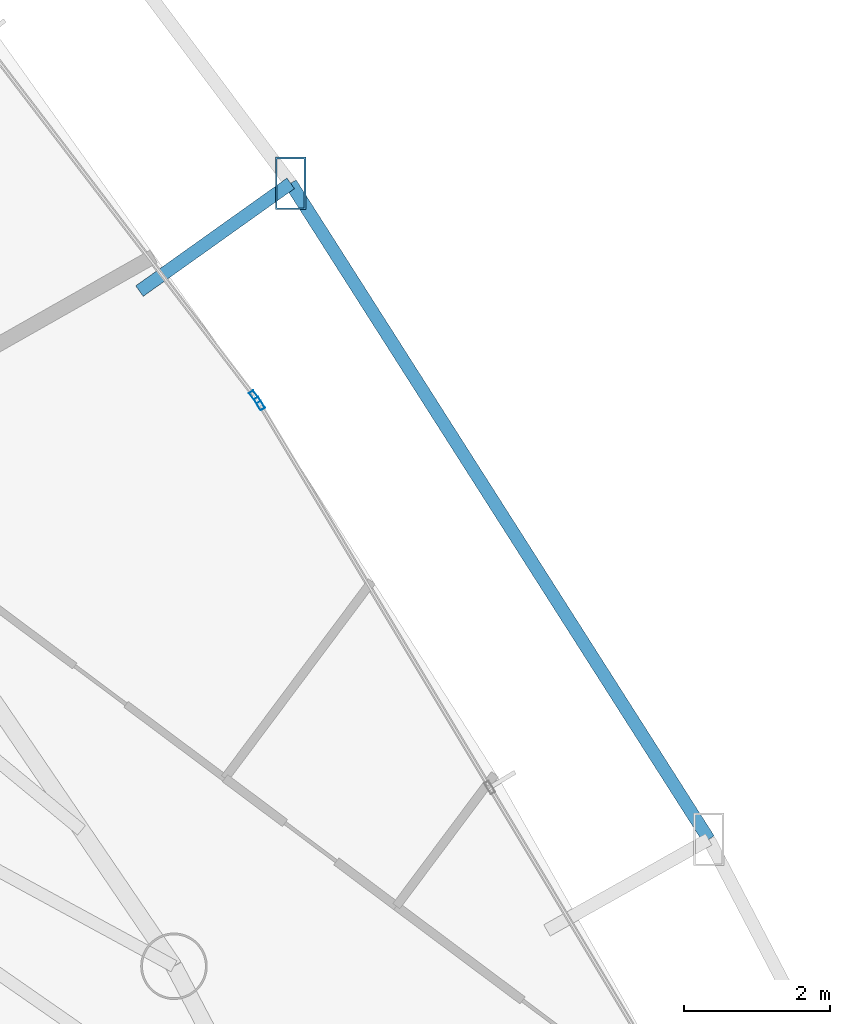
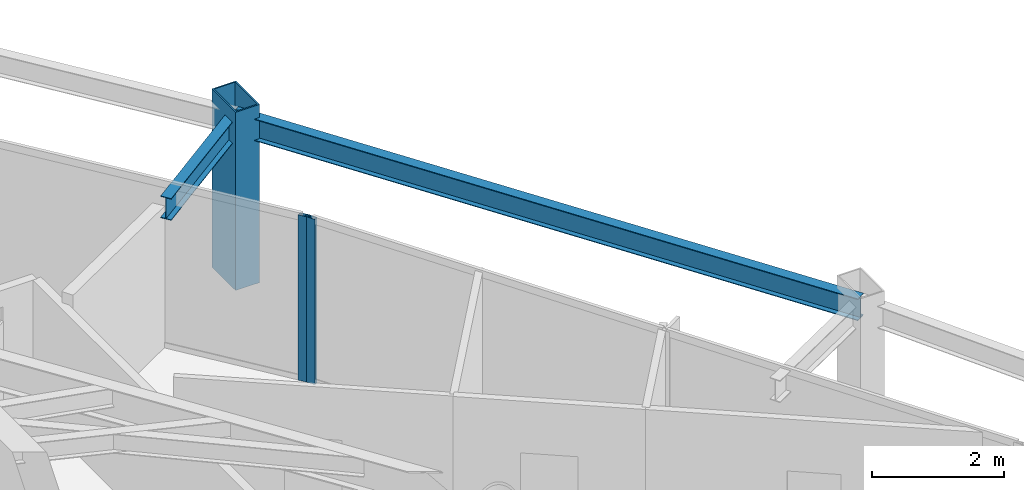
# One storey, part 26 of 34: 3 members, 2 beams, 2 elements without a shape of their own.
"""IFC4 building model written with IfcOpenShell, lengths in metres."""

from ifc_helpers import new_model, si_unit, direction, frame, origin, origin_2d, place, context, subcontext, project, spatial, hollow_rectangle, i_section, extrude, material, layer, layer_set, material_profile, profile_set, type_object, element, aggregate, save


model = new_model("IFC4")

# Units and contexts
model_context = context("Model", 3, precision=1e-05, world=origin(), true_north=direction((0.0, 1.0)))
body_context = subcontext(model_context, "Body", "Model", "MODEL_VIEW")
ifc_project = project(units=[si_unit("LENGTHUNIT", "METRE"), si_unit("AREAUNIT", "SQUARE_METRE"), si_unit("VOLUMEUNIT", "CUBIC_METRE"), si_unit("PLANEANGLEUNIT", "RADIAN"), si_unit("MASSUNIT", "GRAM", prefix="KILO")], contexts=[model_context])

# Site, building, storey
site_placement = place(None, origin())
site = spatial("IfcSite", under=ifc_project, at=site_placement, CompositionType="ELEMENT")
building_placement = place(site_placement, origin())
building = spatial("IfcBuilding", under=site, at=building_placement, Name="Orvanel Arch Residences", CompositionType="ELEMENT")
storey_placement = place(building_placement, frame((0.0, 0.0, 67.550048828125)))
storey = spatial("IfcBuildingStorey", under=building, at=storey_placement, Name="L18", CompositionType="ELEMENT", Elevation=67.550048828125)

# Member
ifc_material_1 = material(Name="Structural steel AS/NZS 3678 Grade 350", Category="steel")
ifc_material_profile_1 = material_profile(ifc_material_1, hollow_rectangle(XDim=0.419921875, YDim=0.719970703125, WallThickness=0.02490234375, at=origin_2d()), Name="RHS720x420x25")
ifc_profile_set_1 = profile_set([ifc_material_profile_1], Name="Structural steel AS/NZS 3678 Grade 350")
member_type_1 = type_object("IfcMemberType", Name="CH-720RHS-EXT", PredefinedType="CHORD", material=ifc_profile_set_1)
member_1_placement = place(storey_placement, frame((47.033935546875, 38.39404296875, 0.0), z_axis=(0.0, 0.0, 1.0), x_axis=(1.0, 0.0, 0.0)))
element("IfcMember", 1, at=member_1_placement, inside=storey, type_object=member_type_1, Name="L18 Outer Perimeter Frame Post 11", PredefinedType="CHORD", context=body_context, shape_type="SweptSolid", body=[
    extrude(hollow_rectangle(XDim=0.419921875, YDim=0.719970703125, WallThickness=0.02490234375, at=origin_2d()), origin(), (0.0, 0.0, 1.0), 3.300048828125),
])

# Curtain wall, member
ifc_material_2 = material(Name="Bronze-anodised aluminium AA6063-T6", Category="aluminium")
ifc_layer = layer(ifc_material_2, 0.179931640625)
ifc_layer_set = layer_set([ifc_layer], Name="Bronze-anodised aluminium AA6063-T6")
curtain_wall_type = type_object("IfcCurtainWallType", Name="CW2-LOW-SYS", PredefinedType="NOTDEFINED", material=ifc_layer_set)
curtain_wall_1_placement = place(storey_placement, origin())
curtain_wall_1 = element("IfcCurtainWall", 2, at=curtain_wall_1_placement, inside=storey, type_object=curtain_wall_type, Name="L18 CW2-LOW-SYS Unitised Curtain Wall", PredefinedType="NOTDEFINED")
ifc_material_profile_2 = material_profile(ifc_material_2, hollow_rectangle(XDim=0.070068359375, YDim=0.179931640625, WallThickness=0.00439453125, at=origin_2d()), Name="ALU180x70x4.5")
ifc_profile_set_2 = profile_set([ifc_material_profile_2], Name="Bronze-anodised aluminium AA6063-T6")
member_type_2 = type_object("IfcMemberType", Name="MUL-180x70", PredefinedType="MULLION", material=ifc_profile_set_2)
member_2_placement = place(storey_placement, frame((46.60498046875, 35.369873046875, 0.0), z_axis=(0.0, 0.0, 1.0), x_axis=(-0.857549994674, -0.514400628533, 0.0)))
member_2 = element("IfcMember", 3, at=member_2_placement, type_object=member_type_2, Name="CW-S2 mullion 3", PredefinedType="MULLION", context=body_context, shape_type="SweptSolid", body=[
    extrude(hollow_rectangle(XDim=0.070068359375, YDim=0.179931640625, WallThickness=0.00439453125, at=origin_2d()), origin(), (0.0, 0.0, 1.0), 3.06005859375),
])
aggregate(curtain_wall_1, [member_2])

curtain_wall_2_placement = place(storey_placement, origin())
curtain_wall_2 = element("IfcCurtainWall", 4, at=curtain_wall_2_placement, inside=storey, type_object=curtain_wall_type, Name="L18 CW2-LOW-SYS Unitised Curtain Wall", PredefinedType="NOTDEFINED")
member_3_placement = place(storey_placement, frame((46.543701171875, 35.4609375, 0.0), z_axis=(0.0, 0.0, 1.0), x_axis=(-0.794898267581, -0.606742733122, 0.0)))
member_3 = element("IfcMember", 5, at=member_3_placement, type_object=member_type_2, Name="CW-S2 mullion 1", PredefinedType="MULLION", context=body_context, shape_type="SweptSolid", body=[
    extrude(hollow_rectangle(XDim=0.070068359375, YDim=0.179931640625, WallThickness=0.00439453125, at=origin_2d()), origin(), (0.0, 0.0, 1.0), 3.06005859375),
])
aggregate(curtain_wall_2, [member_3])

# Beams
ifc_material_3 = material(Name="Structural steel AS/NZS 3679.1 Grade 300 (300 MPa)", Category="steel")
ifc_material_profile_3 = material_profile(ifc_material_3, i_section(OverallWidth=0.177978515625, OverallDepth=0.406005859375, WebThickness=0.0078125, FlangeThickness=0.0126953125, at=origin_2d()), Name="410UB59.7")
ifc_profile_set_3 = profile_set([ifc_material_profile_3], Name="Structural steel AS/NZS 3679.1 Grade 300 (300 MPa)")
beam_type = type_object("IfcBeamType", Name="OB-410UB-EXT", PredefinedType="SPANDREL", material=ifc_profile_set_3)
beam_1_placement = place(storey_placement, frame((52.77587890625, 29.384033203125, 2.85693359375), z_axis=(-0.537428366636, 0.843309403917, 0.0), x_axis=(-0.843309403917, -0.537428366636, 0.0)))
element("IfcBeam", 6, at=beam_1_placement, inside=storey, type_object=beam_type, Name="L18 Outer Perimeter Floor Ring Beam 10", PredefinedType="SPANDREL", context=body_context, shape_type="SweptSolid", body=[
    extrude(i_section(OverallWidth=0.177978515625, OverallDepth=0.406005859375, WebThickness=0.0078125, FlangeThickness=0.0126953125, at=origin_2d()), origin(), (0.0, 0.0, 1.0), 10.68408203125),
])
beam_2_placement = place(storey_placement, frame((44.95703125, 36.9140625, 2.85693359375), z_axis=(0.814386258708, 0.580323204454, 0.0), x_axis=(-0.580323204454, 0.814386258708, 0.0)))
element("IfcBeam", 7, at=beam_2_placement, inside=storey, type_object=beam_type, Name="L18 Outer Frame Radial Tie Beam 11", PredefinedType="SPANDREL", context=body_context, shape_type="SweptSolid", body=[
    extrude(i_section(OverallWidth=0.177978515625, OverallDepth=0.406005859375, WebThickness=0.0078125, FlangeThickness=0.0126953125, at=origin_2d()), origin(), (0.0, 0.0, 1.0), 2.55029296875),
])

save(model, "model.ifc")
